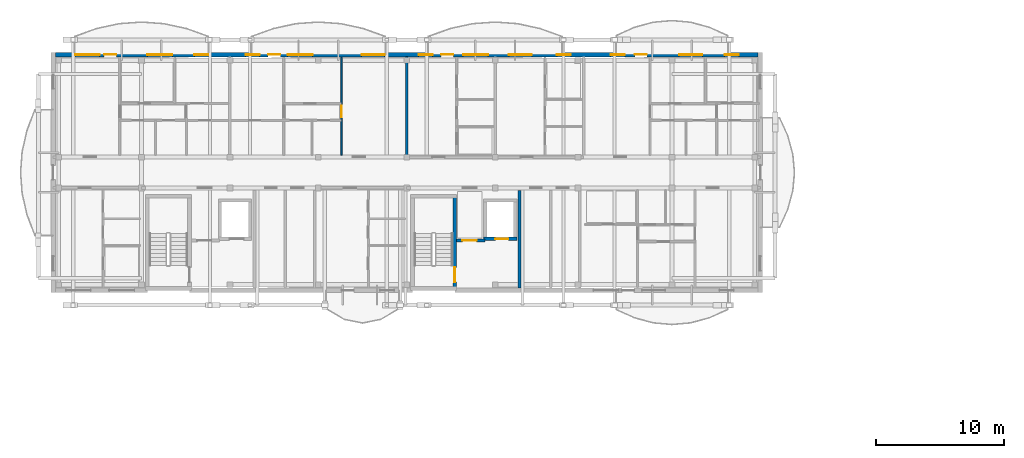
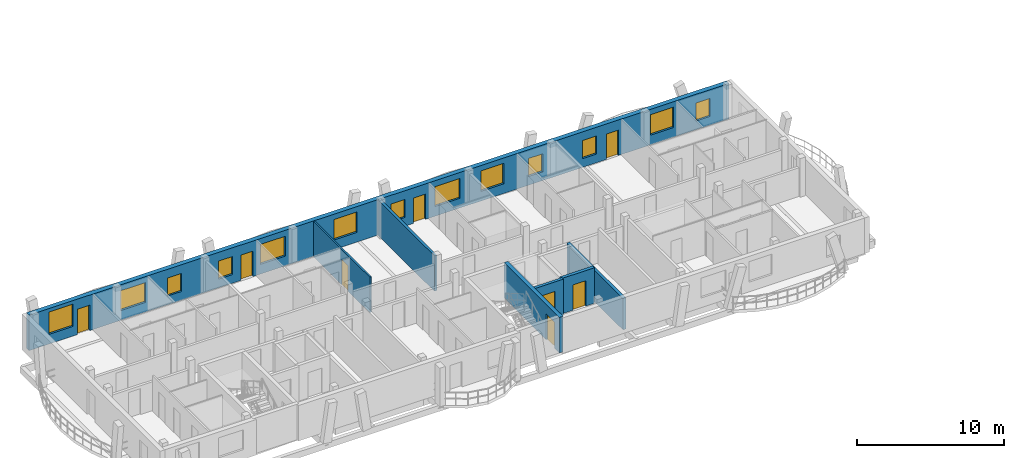
# One storey, part 26 of 52: 13 windows, 8 doors, 7 walls, 21 openings.
"""IFC4 building model written with IfcOpenShell, lengths in metres."""

from ifc_helpers import new_model, si_unit, direction, frame, frame_2d, origin, origin_with_axes, place, context, subcontext, project, spatial, rectangle, extrude, material, layer, layer_set, type_object, element, fill, save


model = new_model("IFC4")

# Units and contexts
model_context = context("Model", 3, precision=1e-05, world=origin(), true_north=direction((0.0, 1.0)))
body_context = subcontext(model_context, "Body", "Model", "MODEL_VIEW")
ifc_project = project(units=[si_unit("LENGTHUNIT", "METRE"), si_unit("AREAUNIT", "SQUARE_METRE"), si_unit("VOLUMEUNIT", "CUBIC_METRE"), si_unit("PLANEANGLEUNIT", "RADIAN"), si_unit("MASSUNIT", "GRAM", prefix="KILO")], contexts=[model_context])

# Site, building, storey
site_placement = place(None, origin())
site = spatial("IfcSite", under=ifc_project, at=site_placement, CompositionType="ELEMENT")
building_placement = place(site_placement, origin())
building = spatial("IfcBuilding", under=site, at=building_placement, Name="Zavelmont Quarter", CompositionType="ELEMENT")
storey_placement = place(building_placement, frame((0.0, 0.0, 14.39990234375)))
storey = spatial("IfcBuildingStorey", under=building, at=storey_placement, Name="L04", CompositionType="ELEMENT", Elevation=14.39990234375)

# Wall, openings, doors, windows
ifc_material_1 = material(Name="Natural Belgian limestone", Category="masonry")
ifc_layer_1 = layer(ifc_material_1, 0.360107421875)
ifc_layer_set_1 = layer_set([ifc_layer_1], Name="Natural Belgian limestone")
wall_type_1 = type_object("IfcWallType", Name="EW02", PredefinedType="STANDARD", material=ifc_layer_set_1)
wall_1_placement = place(storey_placement, frame((0.169921875, 116.0, 0.0), z_axis=(0.0, 0.0, 1.0), x_axis=(1.0, 0.0, 0.0)))
wall_1 = element("IfcWall", 1, at=wall_1_placement, inside=storey, type_object=wall_type_1, Name="L04 exterior limestone wall EW02", PredefinedType="STANDARD", context=body_context, shape_type="SweptSolid", body=[
    extrude(rectangle(XDim=54.860107421875, YDim=0.360107421875, at=frame_2d((27.43017578125, 0.0))), origin(), (0.0, 0.0, 1.0), 2.940185546875),
])
opening_1_placement = place(wall_1_placement, frame((3.815185546875, 0.0, 0.0)))
opening_1 = element("IfcOpeningElement", 2, at=opening_1_placement, cuts=wall_1, Name="Opening DR04", PredefinedType="OPENING", context=body_context, shape_type="SweptSolid", body=[
    extrude(rectangle(XDim=0.949951171875, YDim=2.10009765625, at=frame_2d((0.47509765625, 1.050048828125))), frame((0.0, 0.19189453125, 0.0), z_axis=(0.0, -1.0, 0.0), x_axis=(1.0, 0.0, 0.0)), (0.0, 0.0, 1.0), 0.384033203125),
])
opening_2_placement = place(wall_1_placement, frame((16.615234375, 0.0, 0.0)))
opening_2 = element("IfcOpeningElement", 3, at=opening_2_placement, cuts=wall_1, Name="Opening DR04", PredefinedType="OPENING", context=body_context, shape_type="SweptSolid", body=[
    extrude(rectangle(XDim=0.949951171875, YDim=2.10009765625, at=frame_2d((0.47509765625, 1.050048828125))), frame((0.0, 0.19189453125, 0.0), z_axis=(0.0, -1.0, 0.0), x_axis=(1.0, 0.0, 0.0)), (0.0, 0.0, 1.0), 0.384033203125),
])
opening_3_placement = place(wall_1_placement, frame((30.115234375, 0.0, 0.0)))
opening_3 = element("IfcOpeningElement", 4, at=opening_3_placement, cuts=wall_1, Name="Opening DR04", PredefinedType="OPENING", context=body_context, shape_type="SweptSolid", body=[
    extrude(rectangle(XDim=0.949951171875, YDim=2.10009765625, at=frame_2d((0.47509765625, 1.050048828125))), frame((0.0, 0.19189453125, 0.0), z_axis=(0.0, -1.0, 0.0), x_axis=(1.0, 0.0, 0.0)), (0.0, 0.0, 1.0), 0.384033203125),
])
opening_4_placement = place(wall_1_placement, frame((45.22802734375, 0.0, 0.0)))
opening_4 = element("IfcOpeningElement", 5, at=opening_4_placement, cuts=wall_1, Name="Opening DR04", PredefinedType="OPENING", context=body_context, shape_type="SweptSolid", body=[
    extrude(rectangle(XDim=0.949951171875, YDim=2.10009765625, at=frame_2d((0.47509765625, 1.050048828125))), frame((0.0, 0.19189453125, 0.0), z_axis=(0.0, -1.0, 0.0), x_axis=(1.0, 0.0, 0.0)), (0.0, 0.0, 1.0), 0.384033203125),
])
opening_5_placement = place(wall_1_placement, frame((1.550048828125, 0.0, 0.800048828125)))
opening_5 = element("IfcOpeningElement", 6, at=opening_5_placement, cuts=wall_1, Name="Opening WN20", PredefinedType="OPENING", context=body_context, shape_type="SweptSolid", body=[
    extrude(rectangle(XDim=1.89990234375, YDim=1.85009765625, at=frame_2d((0.949951171875, 0.925048828125))), frame((0.0, 0.19189453125, 0.0), z_axis=(0.0, -1.0, 0.0), x_axis=(1.0, 0.0, 0.0)), (0.0, 0.0, 1.0), 0.384033203125),
])
opening_6_placement = place(wall_1_placement, frame((7.1826171875, 0.0, 0.800048828125)))
opening_6 = element("IfcOpeningElement", 7, at=opening_6_placement, cuts=wall_1, Name="Opening WN24", PredefinedType="OPENING", context=body_context, shape_type="SweptSolid", body=[
    extrude(rectangle(XDim=1.949951171875, YDim=1.64990234375, at=frame_2d((0.97509765625, 0.824951171875))), frame((0.0, 0.19189453125, 0.0), z_axis=(0.0, -1.0, 0.0), x_axis=(1.0, 0.0, 0.0)), (0.0, 0.0, 1.0), 0.384033203125),
])
opening_7_placement = place(wall_1_placement, frame((10.85009765625, 0.0, 0.719970703125)))
opening_7 = element("IfcOpeningElement", 8, at=opening_7_placement, cuts=wall_1, Name="Opening WN09", PredefinedType="OPENING", context=body_context, shape_type="SweptSolid", body=[
    extrude(rectangle(XDim=1.10009765625, YDim=1.5, at=frame_2d((0.550048828125, 0.75))), frame((0.0, 0.19189453125, 0.0), z_axis=(0.0, -1.0, 0.0), x_axis=(1.0, 0.0, 0.0)), (0.0, 0.0, 1.0), 0.384033203125),
])
opening_8_placement = place(wall_1_placement, frame((14.85009765625, 0.0, 0.719970703125)))
opening_8 = element("IfcOpeningElement", 9, at=opening_8_placement, cuts=wall_1, Name="Opening WN09", PredefinedType="OPENING", context=body_context, shape_type="SweptSolid", body=[
    extrude(rectangle(XDim=1.10009765625, YDim=1.5, at=frame_2d((0.550048828125, 0.75))), frame((0.0, 0.19189453125, 0.0), z_axis=(0.0, -1.0, 0.0), x_axis=(1.0, 0.0, 0.0)), (0.0, 0.0, 1.0), 0.384033203125),
])
opening_9_placement = place(wall_1_placement, frame((18.125, 0.0, 0.800048828125)))
opening_9 = element("IfcOpeningElement", 10, at=opening_9_placement, cuts=wall_1, Name="Opening WN24", PredefinedType="OPENING", context=body_context, shape_type="SweptSolid", body=[
    extrude(rectangle(XDim=1.949951171875, YDim=1.64990234375, at=frame_2d((0.97509765625, 0.824951171875))), frame((0.0, 0.19189453125, 0.0), z_axis=(0.0, -1.0, 0.0), x_axis=(1.0, 0.0, 0.0)), (0.0, 0.0, 1.0), 0.384033203125),
])
opening_10_placement = place(wall_1_placement, frame((23.89990234375, 0.0, 0.800048828125)))
opening_10 = element("IfcOpeningElement", 11, at=opening_10_placement, cuts=wall_1, Name="Opening WN02", PredefinedType="OPENING", context=body_context, shape_type="SweptSolid", body=[
    extrude(rectangle(XDim=1.800048828125, YDim=1.699951171875, at=frame_2d((0.89990234375, 0.85009765625))), frame((0.0, 0.19189453125, 0.0), z_axis=(0.0, -1.0, 0.0), x_axis=(1.0, 0.0, 0.0)), (0.0, 0.0, 1.0), 0.384033203125),
])
opening_11_placement = place(wall_1_placement, frame((28.35009765625, 0.0, 0.719970703125)))
opening_11 = element("IfcOpeningElement", 12, at=opening_11_placement, cuts=wall_1, Name="Opening WN09", PredefinedType="OPENING", context=body_context, shape_type="SweptSolid", body=[
    extrude(rectangle(XDim=1.10009765625, YDim=1.5, at=frame_2d((0.550048828125, 0.75))), frame((0.0, 0.19189453125, 0.0), z_axis=(0.0, -1.0, 0.0), x_axis=(1.0, 0.0, 0.0)), (0.0, 0.0, 1.0), 0.384033203125),
])
opening_12_placement = place(wall_1_placement, frame((31.824951171875, 0.0, 0.800048828125)))
opening_12 = element("IfcOpeningElement", 13, at=opening_12_placement, cuts=wall_1, Name="Opening WN24", PredefinedType="OPENING", context=body_context, shape_type="SweptSolid", body=[
    extrude(rectangle(XDim=1.949951171875, YDim=1.64990234375, at=frame_2d((0.97509765625, 0.824951171875))), frame((0.0, 0.19189453125, 0.0), z_axis=(0.0, -1.0, 0.0), x_axis=(1.0, 0.0, 0.0)), (0.0, 0.0, 1.0), 0.384033203125),
])
opening_13_placement = place(wall_1_placement, frame((35.39990234375, 0.0, 0.800048828125)))
opening_13 = element("IfcOpeningElement", 14, at=opening_13_placement, cuts=wall_1, Name="Opening WN02", PredefinedType="OPENING", context=body_context, shape_type="SweptSolid", body=[
    extrude(rectangle(XDim=1.800048828125, YDim=1.699951171875, at=frame_2d((0.89990234375, 0.85009765625))), frame((0.0, 0.19189453125, 0.0), z_axis=(0.0, -1.0, 0.0), x_axis=(1.0, 0.0, 0.0)), (0.0, 0.0, 1.0), 0.384033203125),
])
opening_14_placement = place(wall_1_placement, frame((39.14990234375, 0.0, 0.719970703125)))
opening_14 = element("IfcOpeningElement", 15, at=opening_14_placement, cuts=wall_1, Name="Opening WN09", PredefinedType="OPENING", context=body_context, shape_type="SweptSolid", body=[
    extrude(rectangle(XDim=1.10009765625, YDim=1.5, at=frame_2d((0.550048828125, 0.75))), frame((0.0, 0.19189453125, 0.0), z_axis=(0.0, -1.0, 0.0), x_axis=(1.0, 0.0, 0.0)), (0.0, 0.0, 1.0), 0.384033203125),
])
opening_15_placement = place(wall_1_placement, frame((43.35009765625, 0.0, 0.719970703125)))
opening_15 = element("IfcOpeningElement", 16, at=opening_15_placement, cuts=wall_1, Name="Opening WN09", PredefinedType="OPENING", context=body_context, shape_type="SweptSolid", body=[
    extrude(rectangle(XDim=1.10009765625, YDim=1.5, at=frame_2d((0.550048828125, 0.75))), frame((0.0, 0.19189453125, 0.0), z_axis=(0.0, -1.0, 0.0), x_axis=(1.0, 0.0, 0.0)), (0.0, 0.0, 1.0), 0.384033203125),
])
opening_16_placement = place(wall_1_placement, frame((48.699951171875, 0.0, 0.800048828125)))
opening_16 = element("IfcOpeningElement", 17, at=opening_16_placement, cuts=wall_1, Name="Opening WN02", PredefinedType="OPENING", context=body_context, shape_type="SweptSolid", body=[
    extrude(rectangle(XDim=1.800048828125, YDim=1.699951171875, at=frame_2d((0.89990234375, 0.85009765625))), frame((0.0, 0.19189453125, 0.0), z_axis=(0.0, -1.0, 0.0), x_axis=(1.0, 0.0, 0.0)), (0.0, 0.0, 1.0), 0.384033203125),
])
opening_17_placement = place(wall_1_placement, frame((52.25, 0.0, 0.719970703125)))
opening_17 = element("IfcOpeningElement", 18, at=opening_17_placement, cuts=wall_1, Name="Opening WN09", PredefinedType="OPENING", context=body_context, shape_type="SweptSolid", body=[
    extrude(rectangle(XDim=1.10009765625, YDim=1.5, at=frame_2d((0.550048828125, 0.75))), frame((0.0, 0.19189453125, 0.0), z_axis=(0.0, -1.0, 0.0), x_axis=(1.0, 0.0, 0.0)), (0.0, 0.0, 1.0), 0.384033203125),
])
ifc_material_2 = material(Name="Thermally broken aluminium and double safety glass", Category="aluminium")
door_type_1 = type_object("IfcDoorType", Name="DR04", OperationType="NOTDEFINED", PredefinedType="DOOR", material=ifc_material_2)
door_1_placement = place(opening_1_placement, frame((0.949951171875, 0.0, 0.0), z_axis=(0.0, 0.0, 1.0), x_axis=(-1.0, 0.0, 0.0)))
door_1 = element("IfcDoor", 19, at=door_1_placement, inside=storey, type_object=door_type_1, Name="Block B L04 glazed balcony door", OperationType="SINGLE_SWING_LEFT", OverallHeight=2.10009765625, OverallWidth=0.949951171875, PredefinedType="DOOR", context=body_context, shape_type="SweptSolid", body=[
    extrude(rectangle(XDim=0.949951171875, YDim=2.10009765625, at=frame_2d((0.47509765625, 1.050048828125))), frame((0.0, 0.02490234375, 0.0), z_axis=(0.0, -1.0, 0.0), x_axis=(1.0, 0.0, 0.0)), (0.0, 0.0, 1.0), 0.050048828125),
])
fill(opening_1, door_1)
door_2_placement = place(opening_2_placement, frame((0.949951171875, 0.0, 0.0), z_axis=(0.0, 0.0, 1.0), x_axis=(-1.0, 0.0, 0.0)))
door_2 = element("IfcDoor", 20, at=door_2_placement, inside=storey, type_object=door_type_1, Name="Block B L04 glazed balcony door", OperationType="SINGLE_SWING_LEFT", OverallHeight=2.10009765625, OverallWidth=0.949951171875, PredefinedType="DOOR", context=body_context, shape_type="SweptSolid", body=[
    extrude(rectangle(XDim=0.949951171875, YDim=2.10009765625, at=frame_2d((0.47509765625, 1.050048828125))), frame((0.0, 0.02490234375, 0.0), z_axis=(0.0, -1.0, 0.0), x_axis=(1.0, 0.0, 0.0)), (0.0, 0.0, 1.0), 0.050048828125),
])
fill(opening_2, door_2)
door_3_placement = place(opening_3_placement, frame((0.949951171875, 0.0, 0.0), z_axis=(0.0, 0.0, 1.0), x_axis=(-1.0, 0.0, 0.0)))
door_3 = element("IfcDoor", 21, at=door_3_placement, inside=storey, type_object=door_type_1, Name="Block B L04 glazed balcony door", OperationType="SINGLE_SWING_LEFT", OverallHeight=2.10009765625, OverallWidth=0.949951171875, PredefinedType="DOOR", context=body_context, shape_type="SweptSolid", body=[
    extrude(rectangle(XDim=0.949951171875, YDim=2.10009765625, at=frame_2d((0.47509765625, 1.050048828125))), frame((0.0, 0.02490234375, 0.0), z_axis=(0.0, -1.0, 0.0), x_axis=(1.0, 0.0, 0.0)), (0.0, 0.0, 1.0), 0.050048828125),
])
fill(opening_3, door_3)
door_4_placement = place(opening_4_placement, frame((0.949951171875, 0.0, 0.0), z_axis=(0.0, 0.0, 1.0), x_axis=(-1.0, 0.0, 0.0)))
door_4 = element("IfcDoor", 22, at=door_4_placement, inside=storey, type_object=door_type_1, Name="Block B L04 glazed balcony door", OperationType="SINGLE_SWING_LEFT", OverallHeight=2.10009765625, OverallWidth=0.949951171875, PredefinedType="DOOR", context=body_context, shape_type="SweptSolid", body=[
    extrude(rectangle(XDim=0.949951171875, YDim=2.10009765625, at=frame_2d((0.47509765625, 1.050048828125))), frame((0.0, 0.02490234375, 0.0), z_axis=(0.0, -1.0, 0.0), x_axis=(1.0, 0.0, 0.0)), (0.0, 0.0, 1.0), 0.050048828125),
])
fill(opening_4, door_4)
ifc_material_3 = material(Name="Double low-E insulated glazing in thermally broken aluminium frame", Category="aluminium")
window_type_1 = type_object("IfcWindowType", Name="WN02", PartitioningType="SINGLE_PANEL", PredefinedType="WINDOW", material=ifc_material_3)
window_1_placement = place(opening_10_placement, origin_with_axes())
window_1 = element("IfcWindow", 23, at=window_1_placement, inside=storey, type_object=window_type_1, Name="L04 window WN02", OverallHeight=1.699951171875, OverallWidth=1.800048828125, PartitioningType="SINGLE_PANEL", PredefinedType="WINDOW", context=body_context, shape_type="SweptSolid", body=[
    extrude(rectangle(XDim=1.800048828125, YDim=1.699951171875, at=frame_2d((0.89990234375, 0.85009765625))), frame((0.0, 0.030029296875, 0.0), z_axis=(0.0, -1.0, 0.0), x_axis=(1.0, 0.0, 0.0)), (0.0, 0.0, 1.0), 0.06005859375),
])
fill(opening_10, window_1)
window_2_placement = place(opening_13_placement, origin_with_axes())
window_2 = element("IfcWindow", 24, at=window_2_placement, inside=storey, type_object=window_type_1, Name="L04 window WN02", OverallHeight=1.699951171875, OverallWidth=1.800048828125, PartitioningType="SINGLE_PANEL", PredefinedType="WINDOW", context=body_context, shape_type="SweptSolid", body=[
    extrude(rectangle(XDim=1.800048828125, YDim=1.699951171875, at=frame_2d((0.89990234375, 0.85009765625))), frame((0.0, 0.030029296875, 0.0), z_axis=(0.0, -1.0, 0.0), x_axis=(1.0, 0.0, 0.0)), (0.0, 0.0, 1.0), 0.06005859375),
])
fill(opening_13, window_2)
window_3_placement = place(opening_16_placement, origin_with_axes())
window_3 = element("IfcWindow", 25, at=window_3_placement, inside=storey, type_object=window_type_1, Name="L04 window WN02", OverallHeight=1.699951171875, OverallWidth=1.800048828125, PartitioningType="SINGLE_PANEL", PredefinedType="WINDOW", context=body_context, shape_type="SweptSolid", body=[
    extrude(rectangle(XDim=1.800048828125, YDim=1.699951171875, at=frame_2d((0.89990234375, 0.85009765625))), frame((0.0, 0.030029296875, 0.0), z_axis=(0.0, -1.0, 0.0), x_axis=(1.0, 0.0, 0.0)), (0.0, 0.0, 1.0), 0.06005859375),
])
fill(opening_16, window_3)
window_type_2 = type_object("IfcWindowType", Name="WN09", PartitioningType="SINGLE_PANEL", PredefinedType="WINDOW", material=ifc_material_3)
window_4_placement = place(opening_7_placement, origin_with_axes())
window_4 = element("IfcWindow", 26, at=window_4_placement, inside=storey, type_object=window_type_2, Name="L04 window WN09", OverallHeight=1.5, OverallWidth=1.10009765625, PartitioningType="SINGLE_PANEL", PredefinedType="WINDOW", context=body_context, shape_type="SweptSolid", body=[
    extrude(rectangle(XDim=1.10009765625, YDim=1.5, at=frame_2d((0.550048828125, 0.75))), frame((0.0, 0.030029296875, 0.0), z_axis=(0.0, -1.0, 0.0), x_axis=(1.0, 0.0, 0.0)), (0.0, 0.0, 1.0), 0.06005859375),
])
fill(opening_7, window_4)
window_5_placement = place(opening_8_placement, origin_with_axes())
window_5 = element("IfcWindow", 27, at=window_5_placement, inside=storey, type_object=window_type_2, Name="L04 window WN09", OverallHeight=1.5, OverallWidth=1.10009765625, PartitioningType="SINGLE_PANEL", PredefinedType="WINDOW", context=body_context, shape_type="SweptSolid", body=[
    extrude(rectangle(XDim=1.10009765625, YDim=1.5, at=frame_2d((0.550048828125, 0.75))), frame((0.0, 0.030029296875, 0.0), z_axis=(0.0, -1.0, 0.0), x_axis=(1.0, 0.0, 0.0)), (0.0, 0.0, 1.0), 0.06005859375),
])
fill(opening_8, window_5)
window_6_placement = place(opening_11_placement, origin_with_axes())
window_6 = element("IfcWindow", 28, at=window_6_placement, inside=storey, type_object=window_type_2, Name="L04 window WN09", OverallHeight=1.5, OverallWidth=1.10009765625, PartitioningType="SINGLE_PANEL", PredefinedType="WINDOW", context=body_context, shape_type="SweptSolid", body=[
    extrude(rectangle(XDim=1.10009765625, YDim=1.5, at=frame_2d((0.550048828125, 0.75))), frame((0.0, 0.030029296875, 0.0), z_axis=(0.0, -1.0, 0.0), x_axis=(1.0, 0.0, 0.0)), (0.0, 0.0, 1.0), 0.06005859375),
])
fill(opening_11, window_6)
window_7_placement = place(opening_14_placement, origin_with_axes())
window_7 = element("IfcWindow", 29, at=window_7_placement, inside=storey, type_object=window_type_2, Name="L04 window WN09", OverallHeight=1.5, OverallWidth=1.10009765625, PartitioningType="SINGLE_PANEL", PredefinedType="WINDOW", context=body_context, shape_type="SweptSolid", body=[
    extrude(rectangle(XDim=1.10009765625, YDim=1.5, at=frame_2d((0.550048828125, 0.75))), frame((0.0, 0.030029296875, 0.0), z_axis=(0.0, -1.0, 0.0), x_axis=(1.0, 0.0, 0.0)), (0.0, 0.0, 1.0), 0.06005859375),
])
fill(opening_14, window_7)
window_8_placement = place(opening_15_placement, origin_with_axes())
window_8 = element("IfcWindow", 30, at=window_8_placement, inside=storey, type_object=window_type_2, Name="L04 window WN09", OverallHeight=1.5, OverallWidth=1.10009765625, PartitioningType="SINGLE_PANEL", PredefinedType="WINDOW", context=body_context, shape_type="SweptSolid", body=[
    extrude(rectangle(XDim=1.10009765625, YDim=1.5, at=frame_2d((0.550048828125, 0.75))), frame((0.0, 0.030029296875, 0.0), z_axis=(0.0, -1.0, 0.0), x_axis=(1.0, 0.0, 0.0)), (0.0, 0.0, 1.0), 0.06005859375),
])
fill(opening_15, window_8)
window_9_placement = place(opening_17_placement, origin_with_axes())
window_9 = element("IfcWindow", 31, at=window_9_placement, inside=storey, type_object=window_type_2, Name="L04 window WN09", OverallHeight=1.5, OverallWidth=1.10009765625, PartitioningType="SINGLE_PANEL", PredefinedType="WINDOW", context=body_context, shape_type="SweptSolid", body=[
    extrude(rectangle(XDim=1.10009765625, YDim=1.5, at=frame_2d((0.550048828125, 0.75))), frame((0.0, 0.030029296875, 0.0), z_axis=(0.0, -1.0, 0.0), x_axis=(1.0, 0.0, 0.0)), (0.0, 0.0, 1.0), 0.06005859375),
])
fill(opening_17, window_9)
window_type_3 = type_object("IfcWindowType", Name="WN20", PartitioningType="SINGLE_PANEL", PredefinedType="WINDOW", material=ifc_material_3)
window_10_placement = place(opening_5_placement, origin_with_axes())
window_10 = element("IfcWindow", 32, at=window_10_placement, inside=storey, type_object=window_type_3, Name="L04 window WN20", OverallHeight=1.85009765625, OverallWidth=1.89990234375, PartitioningType="SINGLE_PANEL", PredefinedType="WINDOW", context=body_context, shape_type="SweptSolid", body=[
    extrude(rectangle(XDim=1.89990234375, YDim=1.85009765625, at=frame_2d((0.949951171875, 0.925048828125))), frame((0.0, 0.030029296875, 0.0), z_axis=(0.0, -1.0, 0.0), x_axis=(1.0, 0.0, 0.0)), (0.0, 0.0, 1.0), 0.06005859375),
])
fill(opening_5, window_10)
window_type_4 = type_object("IfcWindowType", Name="WN24", PartitioningType="SINGLE_PANEL", PredefinedType="WINDOW", material=ifc_material_3)
window_11_placement = place(opening_6_placement, origin_with_axes())
window_11 = element("IfcWindow", 33, at=window_11_placement, inside=storey, type_object=window_type_4, Name="L04 window WN24", OverallHeight=1.64990234375, OverallWidth=1.949951171875, PartitioningType="SINGLE_PANEL", PredefinedType="WINDOW", context=body_context, shape_type="SweptSolid", body=[
    extrude(rectangle(XDim=1.949951171875, YDim=1.64990234375, at=frame_2d((0.97509765625, 0.824951171875))), frame((0.0, 0.030029296875, 0.0), z_axis=(0.0, -1.0, 0.0), x_axis=(1.0, 0.0, 0.0)), (0.0, 0.0, 1.0), 0.06005859375),
])
fill(opening_6, window_11)
window_12_placement = place(opening_9_placement, origin_with_axes())
window_12 = element("IfcWindow", 34, at=window_12_placement, inside=storey, type_object=window_type_4, Name="L04 window WN24", OverallHeight=1.64990234375, OverallWidth=1.949951171875, PartitioningType="SINGLE_PANEL", PredefinedType="WINDOW", context=body_context, shape_type="SweptSolid", body=[
    extrude(rectangle(XDim=1.949951171875, YDim=1.64990234375, at=frame_2d((0.97509765625, 0.824951171875))), frame((0.0, 0.030029296875, 0.0), z_axis=(0.0, -1.0, 0.0), x_axis=(1.0, 0.0, 0.0)), (0.0, 0.0, 1.0), 0.06005859375),
])
fill(opening_9, window_12)
window_13_placement = place(opening_12_placement, origin_with_axes())
window_13 = element("IfcWindow", 35, at=window_13_placement, inside=storey, type_object=window_type_4, Name="L04 window WN24", OverallHeight=1.64990234375, OverallWidth=1.949951171875, PartitioningType="SINGLE_PANEL", PredefinedType="WINDOW", context=body_context, shape_type="SweptSolid", body=[
    extrude(rectangle(XDim=1.949951171875, YDim=1.64990234375, at=frame_2d((0.97509765625, 0.824951171875))), frame((0.0, 0.030029296875, 0.0), z_axis=(0.0, -1.0, 0.0), x_axis=(1.0, 0.0, 0.0)), (0.0, 0.0, 1.0), 0.06005859375),
])
fill(opening_12, window_13)

# Walls
ifc_material_4 = material(Name="Calcium-silicate blockwork and acoustic plaster", Category="masonry")
ifc_layer_2 = layer(ifc_material_4, 0.199951171875)
ifc_layer_set_2 = layer_set([ifc_layer_2], Name="Calcium-silicate blockwork and acoustic plaster")
wall_type_2 = type_object("IfcWallType", Name="IW01", PredefinedType="PARTITIONING", material=ifc_layer_set_2)
wall_2_placement = place(storey_placement, frame((27.60009765625, 108.14990234375, 0.0), z_axis=(0.0, 0.0, 1.0), x_axis=(0.0, 1.0, 0.0)))
element("IfcWall", 36, at=wall_2_placement, inside=storey, type_object=wall_type_2, Name="L04 Inter-dwelling compartment wall IW01", PredefinedType="PARTITIONING", context=body_context, shape_type="SweptSolid", body=[
    extrude(rectangle(XDim=7.7001953125, YDim=0.199951171875, at=frame_2d((3.85009765625, 0.0))), origin(), (0.0, 0.0, 1.0), 2.940185546875),
])
ifc_material_5 = material(Name="Reinforced masonry fire compartment wall", Category="masonry")
ifc_layer_3 = layer(ifc_material_5, 0.22509765625)
ifc_layer_set_3 = layer_set([ifc_layer_3], Name="Reinforced masonry fire compartment wall")
wall_type_3 = type_object("IfcWallType", Name="IW02", PredefinedType="PARTITIONING", material=ifc_layer_set_3)
wall_3_placement = place(storey_placement, frame((36.409912109375, 97.800048828125, 0.0), z_axis=(0.0, 0.0, 1.0), x_axis=(0.0, 1.0, 0.0)))
element("IfcWall", 37, at=wall_3_placement, inside=storey, type_object=wall_type_3, Name="L04 Firefighting lobby enclosure wall IW02", PredefinedType="PARTITIONING", context=body_context, shape_type="SweptSolid", body=[
    extrude(rectangle(XDim=7.599853515625, YDim=0.22509765625, at=frame_2d((3.7998046875, 0.0))), origin(), (0.0, 0.0, 1.0), 2.590087890625),
])

# Wall, opening, door
wall_4_placement = place(storey_placement, frame((31.5, 101.5, 0.0), z_axis=(0.0, 0.0, 1.0), x_axis=(1.0, 0.0, 0.0)))
wall_4 = element("IfcWall", 38, at=wall_4_placement, inside=storey, type_object=wall_type_3, Name="L04 Firefighting lobby threshold wall IW02", PredefinedType="PARTITIONING", context=body_context, shape_type="SweptSolid", body=[
    extrude(rectangle(XDim=2.199951171875, YDim=0.22509765625, at=frame_2d((1.10009765625, 0.0))), origin(), (0.0, 0.0, 1.0), 2.940185546875),
])
opening_18_placement = place(wall_4_placement, frame((0.449951171875, 0.0, 0.0)))
opening_18 = element("IfcOpeningElement", 39, at=opening_18_placement, cuts=wall_4, Name="Opening DR10", PredefinedType="OPENING", context=body_context, shape_type="SweptSolid", body=[
    extrude(rectangle(XDim=1.10009765625, YDim=2.14990234375, at=frame_2d((0.550048828125, 1.074951171875))), frame((0.0, 0.12451171875, 0.0), z_axis=(0.0, -1.0, 0.0), x_axis=(1.0, 0.0, 0.0)), (0.0, 0.0, 1.0), 0.2490234375),
])
ifc_material_6 = material(Name="Painted steel lobby fire door", Category="steel")
door_type_2 = type_object("IfcDoorType", Name="DR10", OperationType="NOTDEFINED", PredefinedType="DOOR", material=ifc_material_6)
door_5_placement = place(opening_18_placement, frame((1.10009765625, 0.0, 0.0), z_axis=(0.0, 0.0, 1.0), x_axis=(-1.0, 0.0, 0.0)))
door_5 = element("IfcDoor", 40, at=door_5_placement, inside=storey, type_object=door_type_2, Name="Firefighting lobby fire door", OperationType="SINGLE_SWING_LEFT", OverallHeight=2.14990234375, OverallWidth=1.10009765625, PredefinedType="DOOR", context=body_context, shape_type="SweptSolid", body=[
    extrude(rectangle(XDim=1.10009765625, YDim=2.14990234375, at=frame_2d((0.550048828125, 1.074951171875))), frame((0.0, 0.02490234375, 0.0), z_axis=(0.0, -1.0, 0.0), x_axis=(1.0, 0.0, 0.0)), (0.0, 0.0, 1.0), 0.050048828125),
])
fill(opening_18, door_5)

ifc_material_7 = material(Name="Double gypsum board on acoustic steel stud", Category="steel")
ifc_layer_4 = layer(ifc_material_7, 0.125)
ifc_layer_set_4 = layer_set([ifc_layer_4], Name="Double gypsum board on acoustic steel stud")
wall_type_4 = type_object("IfcWallType", Name="IW03", PredefinedType="PARTITIONING", material=ifc_layer_set_4)
wall_5_placement = place(storey_placement, frame((22.5, 108.14990234375, 0.0), z_axis=(0.0, 0.0, 1.0), x_axis=(0.0, 1.0, 0.0)))
wall_5 = element("IfcWall", 41, at=wall_5_placement, inside=storey, type_object=wall_type_4, Name="L04 Partition IW03", PredefinedType="PARTITIONING", context=body_context, shape_type="SweptSolid", body=[
    extrude(rectangle(XDim=7.650146484375, YDim=0.125, at=frame_2d((3.8251953125, 0.0))), origin(), (0.0, 0.0, 1.0), 2.940185546875),
])
opening_19_placement = place(wall_5_placement, frame((2.949951171875, 0.0, 0.0)))
opening_19 = element("IfcOpeningElement", 42, at=opening_19_placement, cuts=wall_5, Name="Opening DR05", PredefinedType="OPENING", context=body_context, shape_type="SweptSolid", body=[
    extrude(rectangle(XDim=0.89990234375, YDim=2.10009765625, at=frame_2d((0.449951171875, 1.050048828125))), frame((0.0, 0.074462890625, 0.0), z_axis=(0.0, -1.0, 0.0), x_axis=(1.0, 0.0, 0.0)), (0.0, 0.0, 1.0), 0.14892578125),
])
ifc_material_8 = material(Name="Engineered oak flush interior door")
door_type_3 = type_object("IfcDoorType", Name="DR05", OperationType="NOTDEFINED", PredefinedType="DOOR", material=ifc_material_8)
door_6_placement = place(opening_19_placement, frame((0.89990234375, 0.0, 0.0), z_axis=(0.0, 0.0, 1.0), x_axis=(-1.0, 0.0, 0.0)))
door_6 = element("IfcDoor", 43, at=door_6_placement, inside=storey, type_object=door_type_3, Name="L04 door DR05", OperationType="SINGLE_SWING_RIGHT", OverallHeight=2.10009765625, OverallWidth=0.89990234375, PredefinedType="DOOR", context=body_context, shape_type="SweptSolid", body=[
    extrude(rectangle(XDim=0.89990234375, YDim=2.10009765625, at=frame_2d((0.449951171875, 1.050048828125))), frame((0.0, 0.02490234375, 0.0), z_axis=(0.0, -1.0, 0.0), x_axis=(1.0, 0.0, 0.0)), (0.0, 0.0, 1.0), 0.050048828125),
])
fill(opening_19, door_6)

ifc_material_9 = material(Name="Concrete C40/50", Category="concrete")
ifc_layer_5 = layer(ifc_material_9, 0.300048828125)
ifc_layer_set_5 = layer_set([ifc_layer_5], Name="Concrete C40/50")
wall_type_5 = type_object("IfcWallType", Name="SW01", PredefinedType="SHEAR", material=ifc_layer_set_5)
wall_6_placement = place(storey_placement, frame((31.35009765625, 97.60009765625, 0.0), z_axis=(0.0, 0.0, 1.0), x_axis=(0.0, 1.0, 0.0)))
wall_6 = element("IfcWall", 44, at=wall_6_placement, inside=storey, type_object=wall_type_5, Name="L04 ST04 lobby shear wall SW01", PredefinedType="SHEAR", context=body_context, shape_type="SweptSolid", body=[
    extrude(rectangle(XDim=7.5, YDim=0.300048828125, at=frame_2d((3.75, 0.0))), origin(), (0.0, 0.0, 1.0), 2.940185546875),
])
opening_20_placement = place(wall_6_placement, frame((0.64990234375, 0.0, 0.0)))
opening_20 = element("IfcOpeningElement", 45, at=opening_20_placement, cuts=wall_6, Name="Opening DR09", PredefinedType="OPENING", context=body_context, shape_type="SweptSolid", body=[
    extrude(rectangle(XDim=1.14990234375, YDim=2.14990234375, at=frame_2d((0.574951171875, 1.074951171875))), frame((0.0, 0.162109375, 0.0), z_axis=(0.0, -1.0, 0.0), x_axis=(1.0, 0.0, 0.0)), (0.0, 0.0, 1.0), 0.323974609375),
])
ifc_material_10 = material(Name="Painted steel stair-core fire door", Category="steel")
door_type_4 = type_object("IfcDoorType", Name="DR09", OperationType="NOTDEFINED", PredefinedType="DOOR", material=ifc_material_10)
door_7_placement = place(opening_20_placement, origin_with_axes())
door_7 = element("IfcDoor", 46, at=door_7_placement, inside=storey, type_object=door_type_4, Name="ST04 protected stair door", OperationType="SINGLE_SWING_RIGHT", OverallHeight=2.14990234375, OverallWidth=1.14990234375, PredefinedType="DOOR", context=body_context, shape_type="SweptSolid", body=[
    extrude(rectangle(XDim=1.14990234375, YDim=2.14990234375, at=frame_2d((0.574951171875, 1.074951171875))), frame((0.0, 0.02490234375, 0.0), z_axis=(0.0, -1.0, 0.0), x_axis=(1.0, 0.0, 0.0)), (0.0, 0.0, 1.0), 0.050048828125),
])
fill(opening_20, door_7)

ifc_layer_6 = layer(ifc_material_9, 0.25)
ifc_layer_set_6 = layer_set([ifc_layer_6], Name="Concrete C40/50")
wall_type_6 = type_object("IfcWallType", Name="SW02", PredefinedType="SHEAR", material=ifc_layer_set_6)
wall_7_placement = place(storey_placement, frame((33.60009765625, 101.625, 0.0), z_axis=(0.0, 0.0, 1.0), x_axis=(1.0, 0.0, 0.0)))
wall_7 = element("IfcWall", 47, at=wall_7_placement, inside=storey, type_object=wall_type_6, Name="L04 Lift LF04 landing shaft wall SW02", PredefinedType="SHEAR", context=body_context, shape_type="SweptSolid", body=[
    extrude(rectangle(XDim=2.599853515625, YDim=0.25, at=frame_2d((1.2998046875, 0.0))), origin(), (0.0, 0.0, 1.0), 2.940185546875),
])
opening_21_placement = place(wall_7_placement, frame((0.925048828125, 0.0, 0.0)))
opening_21 = element("IfcOpeningElement", 48, at=opening_21_placement, cuts=wall_7, Name="Opening LD01", PredefinedType="OPENING", context=body_context, shape_type="SweptSolid", body=[
    extrude(rectangle(XDim=1.0, YDim=2.10009765625, at=frame_2d((0.5, 1.050048828125))), frame((0.0, 0.136962890625, 0.0), z_axis=(0.0, -1.0, 0.0), x_axis=(1.0, 0.0, 0.0)), (0.0, 0.0, 1.0), 0.27392578125),
])
ifc_material_11 = material(Name="Brushed stainless-steel automatic sliding landing door", Category="steel")
door_type_5 = type_object("IfcDoorType", Name="LD01", OperationType="SLIDING_TO_LEFT", PredefinedType="DOOR", material=ifc_material_11)
door_8_placement = place(opening_21_placement, origin_with_axes())
door_8 = element("IfcDoor", 49, at=door_8_placement, inside=storey, type_object=door_type_5, Name="Lift LF04 sliding landing door", OperationType="SLIDING_TO_LEFT", OverallHeight=2.10009765625, OverallWidth=1.0, PredefinedType="DOOR", context=body_context, shape_type="SweptSolid", body=[
    extrude(rectangle(XDim=1.0, YDim=2.10009765625, at=frame_2d((0.5, 1.050048828125))), frame((0.0, 0.02490234375, 0.0), z_axis=(0.0, -1.0, 0.0), x_axis=(1.0, 0.0, 0.0)), (0.0, 0.0, 1.0), 0.050048828125),
])
fill(opening_21, door_8)

save(model, "model.ifc")
